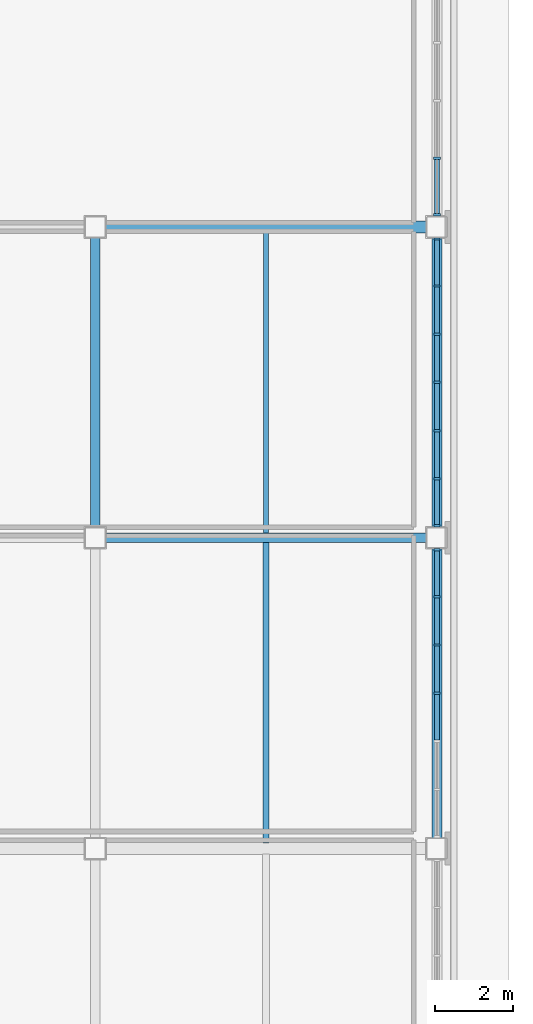
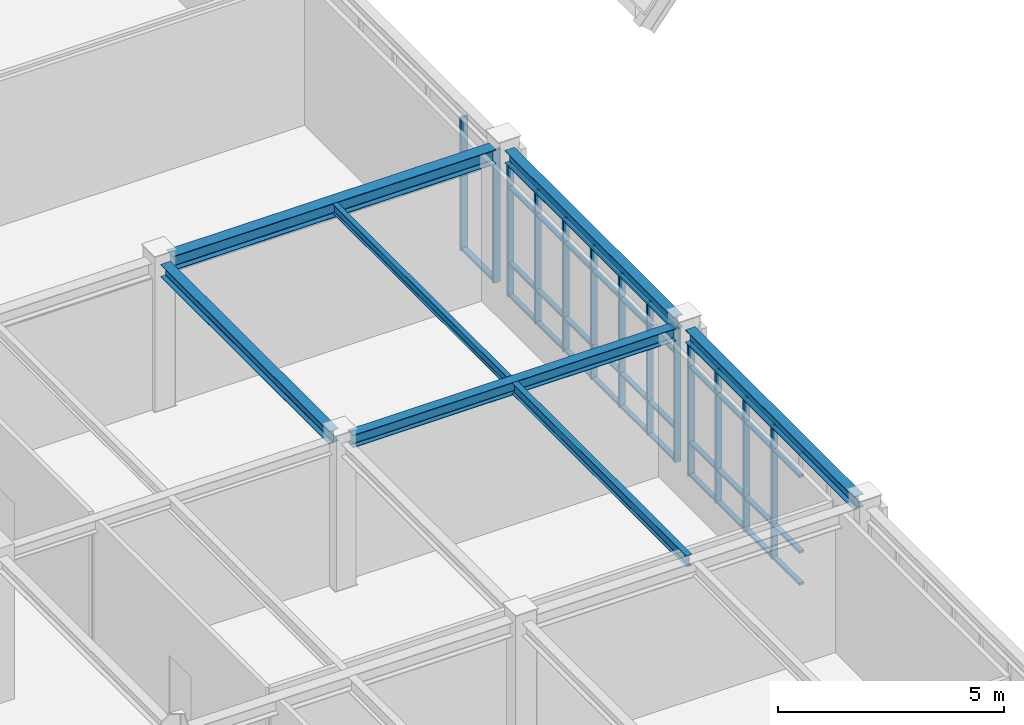
# One storey, part 12 of 64: 54 members, 7 beams, 3 elements without a shape of their own.
"""IFC4 building model written with IfcOpenShell, lengths in metres."""

from ifc_helpers import new_model, si_unit, direction, frame, origin, origin_2d, place, context, subcontext, project, spatial, rectangle, i_section, extrude, material, material_profile, profile_set, type_object, element, aggregate, save


model = new_model("IFC4")

# Units and contexts
model_context = context("Model", 3, precision=1e-05, world=origin(), true_north=direction((0.0, 1.0)))
body_context = subcontext(model_context, "Body", "Model", "MODEL_VIEW")
ifc_project = project(units=[si_unit("LENGTHUNIT", "METRE"), si_unit("AREAUNIT", "SQUARE_METRE"), si_unit("VOLUMEUNIT", "CUBIC_METRE"), si_unit("PLANEANGLEUNIT", "RADIAN"), si_unit("MASSUNIT", "GRAM", prefix="KILO")], contexts=[model_context])

# Site, building, storey
site_placement = place(None, origin())
site = spatial("IfcSite", under=ifc_project, at=site_placement, CompositionType="ELEMENT")
building_placement = place(site_placement, origin())
building = spatial("IfcBuilding", under=site, at=building_placement, Name="Zhaolan Boulevard Law Courts", CompositionType="ELEMENT")
storey_placement = place(building_placement, frame((0.0, 0.0, 20.39990234375)))
storey = spatial("IfcBuildingStorey", under=building, at=storey_placement, Name="L04", CompositionType="ELEMENT", Elevation=20.39990234375)

# Curtain wall, members
ifc_material_1 = material(Name="Thermally broken aluminium and low-E glazing", Category="aluminium")
curtain_wall_type_1 = type_object("IfcCurtainWallType", Name="CURTAIN WALL M5", PredefinedType="USERDEFINED", material=ifc_material_1)
curtain_wall_1_placement = place(storey_placement, origin())
curtain_wall_1 = element("IfcCurtainWall", 1, at=curtain_wall_1_placement, inside=storey, type_object=curtain_wall_type_1, Name="Curtain Wall CW-L04-197", ObjectType="CURTAIN WALL", PredefinedType="USERDEFINED")
ifc_material_2 = material(Name="Fluorocarbon-coated aluminium 6063-T6", Category="aluminium")
ifc_material_profile_1 = material_profile(ifc_material_2, rectangle(XDim=0.159912109375, YDim=0.06005859375, at=origin_2d()), Name="AL60x160")
ifc_profile_set_1 = profile_set([ifc_material_profile_1], Name="Fluorocarbon-coated aluminium 6063-T6")
member_type_1 = type_object("IfcMemberType", Name="CWMULLION 60X160", PredefinedType="MULLION", material=ifc_profile_set_1)
member_1_placement = place(storey_placement, frame((44.0, 42.0, 0.0), z_axis=(0.0, 0.0, 1.0), x_axis=(-1.0, 0.0, 0.0)))
member_1 = element("IfcMember", 2, at=member_1_placement, type_object=member_type_1, Name="CW-L04-197 mullion 4", PredefinedType="MULLION", context=body_context, shape_type="SweptSolid", body=[
    extrude(rectangle(XDim=0.159912109375, YDim=0.06005859375, at=origin_2d()), origin(), (0.0, 0.0, 1.0), 3.593017578125),
])
member_2_placement = place(storey_placement, frame((44.0, 43.240966796875, 0.0), z_axis=(0.0, 0.0, 1.0), x_axis=(-1.0, 0.0, 0.0)))
member_2 = element("IfcMember", 3, at=member_2_placement, type_object=member_type_1, Name="CW-L04-197 mullion 5", PredefinedType="MULLION", context=body_context, shape_type="SweptSolid", body=[
    extrude(rectangle(XDim=0.159912109375, YDim=0.06005859375, at=origin_2d()), origin(), (0.0, 0.0, 1.0), 3.593017578125),
])
member_3_placement = place(storey_placement, frame((44.0, 44.48193359375, 0.0), z_axis=(0.0, 0.0, 1.0), x_axis=(-1.0, 0.0, 0.0)))
member_3 = element("IfcMember", 4, at=member_3_placement, type_object=member_type_1, Name="CW-L04-197 mullion 6", PredefinedType="MULLION", context=body_context, shape_type="SweptSolid", body=[
    extrude(rectangle(XDim=0.159912109375, YDim=0.06005859375, at=origin_2d()), origin(), (0.0, 0.0, 1.0), 3.593017578125),
])
member_4_placement = place(storey_placement, frame((44.0, 45.693115234375, 0.0), z_axis=(0.0, 0.0, 1.0), x_axis=(-1.0, 0.0, 0.0)))
member_4 = element("IfcMember", 5, at=member_4_placement, type_object=member_type_1, Name="CW-L04-197 mullion 7", PredefinedType="MULLION", context=body_context, shape_type="SweptSolid", body=[
    extrude(rectangle(XDim=0.159912109375, YDim=0.06005859375, at=origin_2d()), origin(), (0.0, 0.0, 1.0), 3.593017578125),
])

ifc_material_3 = material(Name="Thermally broken aluminium and low-E glazing", Category="aluminium")
curtain_wall_type_2 = type_object("IfcCurtainWallType", Name="CURTAIN WALL M6", PredefinedType="USERDEFINED", material=ifc_material_3)
curtain_wall_2_placement = place(storey_placement, origin())
curtain_wall_2 = element("IfcCurtainWall", 6, at=curtain_wall_2_placement, inside=storey, type_object=curtain_wall_type_2, Name="Curtain Wall CW-L04-198", ObjectType="CURTAIN WALL", PredefinedType="USERDEFINED")
member_5_placement = place(storey_placement, frame((44.0, 46.306884765625, 0.0), z_axis=(0.0, 0.0, 1.0), x_axis=(-1.0, 0.0, 0.0)))
member_5 = element("IfcMember", 7, at=member_5_placement, type_object=member_type_1, Name="CW-L04-198 mullion 1", PredefinedType="MULLION", context=body_context, shape_type="SweptSolid", body=[
    extrude(rectangle(XDim=0.159912109375, YDim=0.06005859375, at=origin_2d()), origin(), (0.0, 0.0, 1.0), 3.593017578125),
])
member_6_placement = place(storey_placement, frame((44.0, 47.51806640625, 0.0), z_axis=(0.0, 0.0, 1.0), x_axis=(-1.0, 0.0, 0.0)))
member_6 = element("IfcMember", 8, at=member_6_placement, type_object=member_type_1, Name="CW-L04-198 mullion 2", PredefinedType="MULLION", context=body_context, shape_type="SweptSolid", body=[
    extrude(rectangle(XDim=0.159912109375, YDim=0.06005859375, at=origin_2d()), origin(), (0.0, 0.0, 1.0), 3.593017578125),
])
member_7_placement = place(storey_placement, frame((44.0, 48.759033203125, 0.0), z_axis=(0.0, 0.0, 1.0), x_axis=(-1.0, 0.0, 0.0)))
member_7 = element("IfcMember", 9, at=member_7_placement, type_object=member_type_1, Name="CW-L04-198 mullion 3", PredefinedType="MULLION", context=body_context, shape_type="SweptSolid", body=[
    extrude(rectangle(XDim=0.159912109375, YDim=0.06005859375, at=origin_2d()), origin(), (0.0, 0.0, 1.0), 3.593017578125),
])
member_8_placement = place(storey_placement, frame((44.0, 50.0, 0.0), z_axis=(0.0, 0.0, 1.0), x_axis=(-1.0, 0.0, 0.0)))
member_8 = element("IfcMember", 10, at=member_8_placement, type_object=member_type_1, Name="CW-L04-198 mullion 4", PredefinedType="MULLION", context=body_context, shape_type="SweptSolid", body=[
    extrude(rectangle(XDim=0.159912109375, YDim=0.06005859375, at=origin_2d()), origin(), (0.0, 0.0, 1.0), 3.593017578125),
])
member_9_placement = place(storey_placement, frame((44.0, 51.240966796875, 0.0), z_axis=(0.0, 0.0, 1.0), x_axis=(-1.0, 0.0, 0.0)))
member_9 = element("IfcMember", 11, at=member_9_placement, type_object=member_type_1, Name="CW-L04-198 mullion 5", PredefinedType="MULLION", context=body_context, shape_type="SweptSolid", body=[
    extrude(rectangle(XDim=0.159912109375, YDim=0.06005859375, at=origin_2d()), origin(), (0.0, 0.0, 1.0), 3.593017578125),
])
member_10_placement = place(storey_placement, frame((44.0, 52.48193359375, 0.0), z_axis=(0.0, 0.0, 1.0), x_axis=(-1.0, 0.0, 0.0)))
member_10 = element("IfcMember", 12, at=member_10_placement, type_object=member_type_1, Name="CW-L04-198 mullion 6", PredefinedType="MULLION", context=body_context, shape_type="SweptSolid", body=[
    extrude(rectangle(XDim=0.159912109375, YDim=0.06005859375, at=origin_2d()), origin(), (0.0, 0.0, 1.0), 3.593017578125),
])
member_11_placement = place(storey_placement, frame((44.0, 53.693115234375, 0.0), z_axis=(0.0, 0.0, 1.0), x_axis=(-1.0, 0.0, 0.0)))
member_11 = element("IfcMember", 13, at=member_11_placement, type_object=member_type_1, Name="CW-L04-198 mullion 7", PredefinedType="MULLION", context=body_context, shape_type="SweptSolid", body=[
    extrude(rectangle(XDim=0.159912109375, YDim=0.06005859375, at=origin_2d()), origin(), (0.0, 0.0, 1.0), 3.593017578125),
])

ifc_material_4 = material(Name="Thermally broken aluminium and low-E glazing", Category="aluminium")
curtain_wall_type_3 = type_object("IfcCurtainWallType", Name="CURTAIN WALL M7", PredefinedType="USERDEFINED", material=ifc_material_4)
curtain_wall_3_placement = place(storey_placement, origin())
curtain_wall_3 = element("IfcCurtainWall", 14, at=curtain_wall_3_placement, inside=storey, type_object=curtain_wall_type_3, Name="Curtain Wall CW-L04-199", ObjectType="CURTAIN WALL", PredefinedType="USERDEFINED")
ifc_material_5 = material(Name="Fluorocarbon-coated aluminium 6063-T6", Category="aluminium")
ifc_material_profile_2 = material_profile(ifc_material_5, rectangle(XDim=0.179931640625, YDim=0.06494140625, at=origin_2d()), Name="AL65x180")
ifc_profile_set_2 = profile_set([ifc_material_profile_2], Name="Fluorocarbon-coated aluminium 6063-T6")
member_type_2 = type_object("IfcMemberType", Name="CWMULLION 65X180", PredefinedType="MULLION", material=ifc_profile_set_2)
member_12_placement = place(storey_placement, frame((44.0, 54.3095703125, 0.0), z_axis=(0.0, 0.0, 1.0), x_axis=(-1.0, 0.0, 0.0)))
member_12 = element("IfcMember", 15, at=member_12_placement, type_object=member_type_2, Name="CW-L04-199 mullion 1", PredefinedType="MULLION", context=body_context, shape_type="SweptSolid", body=[
    extrude(rectangle(XDim=0.179931640625, YDim=0.06494140625, at=origin_2d()), origin(), (0.0, 0.0, 1.0), 3.593017578125),
])
member_13_placement = place(storey_placement, frame((44.0, 55.76611328125, 0.0), z_axis=(0.0, 0.0, 1.0), x_axis=(-1.0, 0.0, 0.0)))
member_13 = element("IfcMember", 16, at=member_13_placement, type_object=member_type_2, Name="CW-L04-199 mullion 2", PredefinedType="MULLION", context=body_context, shape_type="SweptSolid", body=[
    extrude(rectangle(XDim=0.179931640625, YDim=0.06494140625, at=origin_2d()), origin(), (0.0, 0.0, 1.0), 3.593017578125),
])

# Member
ifc_material_6 = material(Name="Fluorocarbon-coated aluminium 6063-T6", Category="aluminium")
ifc_material_profile_3 = material_profile(ifc_material_6, rectangle(XDim=0.1201171875, YDim=0.06005859375, at=origin_2d()), Name="AL60x120")
ifc_profile_set_3 = profile_set([ifc_material_profile_3], Name="Fluorocarbon-coated aluminium 6063-T6")
member_type_3 = type_object("IfcMemberType", Name="CWTRANSOM 60X120", PredefinedType="USERDEFINED", material=ifc_profile_set_3)
member_14_placement = place(storey_placement, frame((44.0, 40.7890625, 0.030029296875), z_axis=(0.0, 1.0, 0.0), x_axis=(-1.0, 0.0, 0.0)))
member_14 = element("IfcMember", 17, at=member_14_placement, type_object=member_type_3, Name="CW-L04-197 transom 3.1", ObjectType="TRANSOM", PredefinedType="USERDEFINED", context=body_context, shape_type="SweptSolid", body=[
    extrude(rectangle(XDim=0.1201171875, YDim=0.06005859375, at=origin_2d()), origin(), (0.0, 0.0, 1.0), 1.180908203125),
])

member_15_placement = place(storey_placement, frame((44.0, 40.7890625, 0.900146484375), z_axis=(0.0, 1.0, 0.0), x_axis=(-1.0, 0.0, 0.0)))
member_15 = element("IfcMember", 18, at=member_15_placement, type_object=member_type_3, Name="CW-L04-197 transom 3.2", ObjectType="TRANSOM", PredefinedType="USERDEFINED", context=body_context, shape_type="SweptSolid", body=[
    extrude(rectangle(XDim=0.1201171875, YDim=0.06005859375, at=origin_2d()), origin(), (0.0, 0.0, 1.0), 1.180908203125),
])

member_16_placement = place(storey_placement, frame((44.0, 40.7890625, 2.943115234375), z_axis=(0.0, 1.0, 0.0), x_axis=(-1.0, 0.0, 0.0)))
member_16 = element("IfcMember", 19, at=member_16_placement, type_object=member_type_3, Name="CW-L04-197 transom 3.3", ObjectType="TRANSOM", PredefinedType="USERDEFINED", context=body_context, shape_type="SweptSolid", body=[
    extrude(rectangle(XDim=0.1201171875, YDim=0.06005859375, at=origin_2d()), origin(), (0.0, 0.0, 1.0), 1.180908203125),
])

member_17_placement = place(storey_placement, frame((44.0, 40.7890625, 3.56298828125), z_axis=(0.0, 1.0, 0.0), x_axis=(-1.0, 0.0, 0.0)))
member_17 = element("IfcMember", 20, at=member_17_placement, type_object=member_type_3, Name="CW-L04-197 transom 3.4", ObjectType="TRANSOM", PredefinedType="USERDEFINED", context=body_context, shape_type="SweptSolid", body=[
    extrude(rectangle(XDim=0.1201171875, YDim=0.06005859375, at=origin_2d()), origin(), (0.0, 0.0, 1.0), 1.180908203125),
])

member_18_placement = place(storey_placement, frame((44.0, 42.030029296875, 0.030029296875), z_axis=(0.0, 1.0, 0.0), x_axis=(-1.0, 0.0, 0.0)))
member_18 = element("IfcMember", 21, at=member_18_placement, type_object=member_type_3, Name="CW-L04-197 transom 4.1", ObjectType="TRANSOM", PredefinedType="USERDEFINED", context=body_context, shape_type="SweptSolid", body=[
    extrude(rectangle(XDim=0.1201171875, YDim=0.06005859375, at=origin_2d()), origin(), (0.0, 0.0, 1.0), 1.180908203125),
])

member_19_placement = place(storey_placement, frame((44.0, 42.030029296875, 0.900146484375), z_axis=(0.0, 1.0, 0.0), x_axis=(-1.0, 0.0, 0.0)))
member_19 = element("IfcMember", 22, at=member_19_placement, type_object=member_type_3, Name="CW-L04-197 transom 4.2", ObjectType="TRANSOM", PredefinedType="USERDEFINED", context=body_context, shape_type="SweptSolid", body=[
    extrude(rectangle(XDim=0.1201171875, YDim=0.06005859375, at=origin_2d()), origin(), (0.0, 0.0, 1.0), 1.180908203125),
])

member_20_placement = place(storey_placement, frame((44.0, 42.030029296875, 2.943115234375), z_axis=(0.0, 1.0, 0.0), x_axis=(-1.0, 0.0, 0.0)))
member_20 = element("IfcMember", 23, at=member_20_placement, type_object=member_type_3, Name="CW-L04-197 transom 4.3", ObjectType="TRANSOM", PredefinedType="USERDEFINED", context=body_context, shape_type="SweptSolid", body=[
    extrude(rectangle(XDim=0.1201171875, YDim=0.06005859375, at=origin_2d()), origin(), (0.0, 0.0, 1.0), 1.180908203125),
])

member_21_placement = place(storey_placement, frame((44.0, 42.030029296875, 3.56298828125), z_axis=(0.0, 1.0, 0.0), x_axis=(-1.0, 0.0, 0.0)))
member_21 = element("IfcMember", 24, at=member_21_placement, type_object=member_type_3, Name="CW-L04-197 transom 4.4", ObjectType="TRANSOM", PredefinedType="USERDEFINED", context=body_context, shape_type="SweptSolid", body=[
    extrude(rectangle(XDim=0.1201171875, YDim=0.06005859375, at=origin_2d()), origin(), (0.0, 0.0, 1.0), 1.180908203125),
])

member_22_placement = place(storey_placement, frame((44.0, 43.27099609375, 0.030029296875), z_axis=(0.0, 1.0, 0.0), x_axis=(-1.0, 0.0, 0.0)))
member_22 = element("IfcMember", 25, at=member_22_placement, type_object=member_type_3, Name="CW-L04-197 transom 5.1", ObjectType="TRANSOM", PredefinedType="USERDEFINED", context=body_context, shape_type="SweptSolid", body=[
    extrude(rectangle(XDim=0.1201171875, YDim=0.06005859375, at=origin_2d()), origin(), (0.0, 0.0, 1.0), 1.180908203125),
])

member_23_placement = place(storey_placement, frame((44.0, 43.27099609375, 0.900146484375), z_axis=(0.0, 1.0, 0.0), x_axis=(-1.0, 0.0, 0.0)))
member_23 = element("IfcMember", 26, at=member_23_placement, type_object=member_type_3, Name="CW-L04-197 transom 5.2", ObjectType="TRANSOM", PredefinedType="USERDEFINED", context=body_context, shape_type="SweptSolid", body=[
    extrude(rectangle(XDim=0.1201171875, YDim=0.06005859375, at=origin_2d()), origin(), (0.0, 0.0, 1.0), 1.180908203125),
])

member_24_placement = place(storey_placement, frame((44.0, 43.27099609375, 2.943115234375), z_axis=(0.0, 1.0, 0.0), x_axis=(-1.0, 0.0, 0.0)))
member_24 = element("IfcMember", 27, at=member_24_placement, type_object=member_type_3, Name="CW-L04-197 transom 5.3", ObjectType="TRANSOM", PredefinedType="USERDEFINED", context=body_context, shape_type="SweptSolid", body=[
    extrude(rectangle(XDim=0.1201171875, YDim=0.06005859375, at=origin_2d()), origin(), (0.0, 0.0, 1.0), 1.180908203125),
])

member_25_placement = place(storey_placement, frame((44.0, 43.27099609375, 3.56298828125), z_axis=(0.0, 1.0, 0.0), x_axis=(-1.0, 0.0, 0.0)))
member_25 = element("IfcMember", 28, at=member_25_placement, type_object=member_type_3, Name="CW-L04-197 transom 5.4", ObjectType="TRANSOM", PredefinedType="USERDEFINED", context=body_context, shape_type="SweptSolid", body=[
    extrude(rectangle(XDim=0.1201171875, YDim=0.06005859375, at=origin_2d()), origin(), (0.0, 0.0, 1.0), 1.180908203125),
])

member_26_placement = place(storey_placement, frame((44.0, 44.511962890625, 0.030029296875), z_axis=(0.0, 1.0, 0.0), x_axis=(-1.0, 0.0, 0.0)))
member_26 = element("IfcMember", 29, at=member_26_placement, type_object=member_type_3, Name="CW-L04-197 transom 6.1", ObjectType="TRANSOM", PredefinedType="USERDEFINED", context=body_context, shape_type="SweptSolid", body=[
    extrude(rectangle(XDim=0.1201171875, YDim=0.06005859375, at=origin_2d()), origin(), (0.0, 0.0, 1.0), 1.151123046875),
])

member_27_placement = place(storey_placement, frame((44.0, 44.511962890625, 0.900146484375), z_axis=(0.0, 1.0, 0.0), x_axis=(-1.0, 0.0, 0.0)))
member_27 = element("IfcMember", 30, at=member_27_placement, type_object=member_type_3, Name="CW-L04-197 transom 6.2", ObjectType="TRANSOM", PredefinedType="USERDEFINED", context=body_context, shape_type="SweptSolid", body=[
    extrude(rectangle(XDim=0.1201171875, YDim=0.06005859375, at=origin_2d()), origin(), (0.0, 0.0, 1.0), 1.151123046875),
])

member_28_placement = place(storey_placement, frame((44.0, 44.511962890625, 2.943115234375), z_axis=(0.0, 1.0, 0.0), x_axis=(-1.0, 0.0, 0.0)))
member_28 = element("IfcMember", 31, at=member_28_placement, type_object=member_type_3, Name="CW-L04-197 transom 6.3", ObjectType="TRANSOM", PredefinedType="USERDEFINED", context=body_context, shape_type="SweptSolid", body=[
    extrude(rectangle(XDim=0.1201171875, YDim=0.06005859375, at=origin_2d()), origin(), (0.0, 0.0, 1.0), 1.151123046875),
])

member_29_placement = place(storey_placement, frame((44.0, 44.511962890625, 3.56298828125), z_axis=(0.0, 1.0, 0.0), x_axis=(-1.0, 0.0, 0.0)))
member_29 = element("IfcMember", 32, at=member_29_placement, type_object=member_type_3, Name="CW-L04-197 transom 6.4", ObjectType="TRANSOM", PredefinedType="USERDEFINED", context=body_context, shape_type="SweptSolid", body=[
    extrude(rectangle(XDim=0.1201171875, YDim=0.06005859375, at=origin_2d()), origin(), (0.0, 0.0, 1.0), 1.151123046875),
])

aggregate(curtain_wall_1, [member_1, member_2, member_3, member_4, member_14, member_15, member_16, member_17, member_18, member_19, member_20, member_21, member_22, member_23, member_24, member_25, member_26, member_27, member_28, member_29])

member_30_placement = place(storey_placement, frame((44.0, 46.3369140625, 0.030029296875), z_axis=(0.0, 1.0, 0.0), x_axis=(-1.0, 0.0, 0.0)))
member_30 = element("IfcMember", 33, at=member_30_placement, type_object=member_type_3, Name="CW-L04-198 transom 1.1", ObjectType="TRANSOM", PredefinedType="USERDEFINED", context=body_context, shape_type="SweptSolid", body=[
    extrude(rectangle(XDim=0.1201171875, YDim=0.06005859375, at=origin_2d()), origin(), (0.0, 0.0, 1.0), 1.151123046875),
])

member_31_placement = place(storey_placement, frame((44.0, 46.3369140625, 0.900146484375), z_axis=(0.0, 1.0, 0.0), x_axis=(-1.0, 0.0, 0.0)))
member_31 = element("IfcMember", 34, at=member_31_placement, type_object=member_type_3, Name="CW-L04-198 transom 1.2", ObjectType="TRANSOM", PredefinedType="USERDEFINED", context=body_context, shape_type="SweptSolid", body=[
    extrude(rectangle(XDim=0.1201171875, YDim=0.06005859375, at=origin_2d()), origin(), (0.0, 0.0, 1.0), 1.151123046875),
])

member_32_placement = place(storey_placement, frame((44.0, 46.3369140625, 2.943115234375), z_axis=(0.0, 1.0, 0.0), x_axis=(-1.0, 0.0, 0.0)))
member_32 = element("IfcMember", 35, at=member_32_placement, type_object=member_type_3, Name="CW-L04-198 transom 1.3", ObjectType="TRANSOM", PredefinedType="USERDEFINED", context=body_context, shape_type="SweptSolid", body=[
    extrude(rectangle(XDim=0.1201171875, YDim=0.06005859375, at=origin_2d()), origin(), (0.0, 0.0, 1.0), 1.151123046875),
])

member_33_placement = place(storey_placement, frame((44.0, 46.3369140625, 3.56298828125), z_axis=(0.0, 1.0, 0.0), x_axis=(-1.0, 0.0, 0.0)))
member_33 = element("IfcMember", 36, at=member_33_placement, type_object=member_type_3, Name="CW-L04-198 transom 1.4", ObjectType="TRANSOM", PredefinedType="USERDEFINED", context=body_context, shape_type="SweptSolid", body=[
    extrude(rectangle(XDim=0.1201171875, YDim=0.06005859375, at=origin_2d()), origin(), (0.0, 0.0, 1.0), 1.151123046875),
])

member_34_placement = place(storey_placement, frame((44.0, 47.548095703125, 0.030029296875), z_axis=(0.0, 1.0, 0.0), x_axis=(-1.0, 0.0, 0.0)))
member_34 = element("IfcMember", 37, at=member_34_placement, type_object=member_type_3, Name="CW-L04-198 transom 2.1", ObjectType="TRANSOM", PredefinedType="USERDEFINED", context=body_context, shape_type="SweptSolid", body=[
    extrude(rectangle(XDim=0.1201171875, YDim=0.06005859375, at=origin_2d()), origin(), (0.0, 0.0, 1.0), 1.180908203125),
])

member_35_placement = place(storey_placement, frame((44.0, 47.548095703125, 0.900146484375), z_axis=(0.0, 1.0, 0.0), x_axis=(-1.0, 0.0, 0.0)))
member_35 = element("IfcMember", 38, at=member_35_placement, type_object=member_type_3, Name="CW-L04-198 transom 2.2", ObjectType="TRANSOM", PredefinedType="USERDEFINED", context=body_context, shape_type="SweptSolid", body=[
    extrude(rectangle(XDim=0.1201171875, YDim=0.06005859375, at=origin_2d()), origin(), (0.0, 0.0, 1.0), 1.180908203125),
])

member_36_placement = place(storey_placement, frame((44.0, 47.548095703125, 2.943115234375), z_axis=(0.0, 1.0, 0.0), x_axis=(-1.0, 0.0, 0.0)))
member_36 = element("IfcMember", 39, at=member_36_placement, type_object=member_type_3, Name="CW-L04-198 transom 2.3", ObjectType="TRANSOM", PredefinedType="USERDEFINED", context=body_context, shape_type="SweptSolid", body=[
    extrude(rectangle(XDim=0.1201171875, YDim=0.06005859375, at=origin_2d()), origin(), (0.0, 0.0, 1.0), 1.180908203125),
])

member_37_placement = place(storey_placement, frame((44.0, 47.548095703125, 3.56298828125), z_axis=(0.0, 1.0, 0.0), x_axis=(-1.0, 0.0, 0.0)))
member_37 = element("IfcMember", 40, at=member_37_placement, type_object=member_type_3, Name="CW-L04-198 transom 2.4", ObjectType="TRANSOM", PredefinedType="USERDEFINED", context=body_context, shape_type="SweptSolid", body=[
    extrude(rectangle(XDim=0.1201171875, YDim=0.06005859375, at=origin_2d()), origin(), (0.0, 0.0, 1.0), 1.180908203125),
])

member_38_placement = place(storey_placement, frame((44.0, 48.7890625, 0.030029296875), z_axis=(0.0, 1.0, 0.0), x_axis=(-1.0, 0.0, 0.0)))
member_38 = element("IfcMember", 41, at=member_38_placement, type_object=member_type_3, Name="CW-L04-198 transom 3.1", ObjectType="TRANSOM", PredefinedType="USERDEFINED", context=body_context, shape_type="SweptSolid", body=[
    extrude(rectangle(XDim=0.1201171875, YDim=0.06005859375, at=origin_2d()), origin(), (0.0, 0.0, 1.0), 1.180908203125),
])

member_39_placement = place(storey_placement, frame((44.0, 48.7890625, 0.900146484375), z_axis=(0.0, 1.0, 0.0), x_axis=(-1.0, 0.0, 0.0)))
member_39 = element("IfcMember", 42, at=member_39_placement, type_object=member_type_3, Name="CW-L04-198 transom 3.2", ObjectType="TRANSOM", PredefinedType="USERDEFINED", context=body_context, shape_type="SweptSolid", body=[
    extrude(rectangle(XDim=0.1201171875, YDim=0.06005859375, at=origin_2d()), origin(), (0.0, 0.0, 1.0), 1.180908203125),
])

member_40_placement = place(storey_placement, frame((44.0, 48.7890625, 2.943115234375), z_axis=(0.0, 1.0, 0.0), x_axis=(-1.0, 0.0, 0.0)))
member_40 = element("IfcMember", 43, at=member_40_placement, type_object=member_type_3, Name="CW-L04-198 transom 3.3", ObjectType="TRANSOM", PredefinedType="USERDEFINED", context=body_context, shape_type="SweptSolid", body=[
    extrude(rectangle(XDim=0.1201171875, YDim=0.06005859375, at=origin_2d()), origin(), (0.0, 0.0, 1.0), 1.180908203125),
])

member_41_placement = place(storey_placement, frame((44.0, 48.7890625, 3.56298828125), z_axis=(0.0, 1.0, 0.0), x_axis=(-1.0, 0.0, 0.0)))
member_41 = element("IfcMember", 44, at=member_41_placement, type_object=member_type_3, Name="CW-L04-198 transom 3.4", ObjectType="TRANSOM", PredefinedType="USERDEFINED", context=body_context, shape_type="SweptSolid", body=[
    extrude(rectangle(XDim=0.1201171875, YDim=0.06005859375, at=origin_2d()), origin(), (0.0, 0.0, 1.0), 1.180908203125),
])

member_42_placement = place(storey_placement, frame((44.0, 50.030029296875, 0.030029296875), z_axis=(0.0, 1.0, 0.0), x_axis=(-1.0, 0.0, 0.0)))
member_42 = element("IfcMember", 45, at=member_42_placement, type_object=member_type_3, Name="CW-L04-198 transom 4.1", ObjectType="TRANSOM", PredefinedType="USERDEFINED", context=body_context, shape_type="SweptSolid", body=[
    extrude(rectangle(XDim=0.1201171875, YDim=0.06005859375, at=origin_2d()), origin(), (0.0, 0.0, 1.0), 1.180908203125),
])

member_43_placement = place(storey_placement, frame((44.0, 50.030029296875, 0.900146484375), z_axis=(0.0, 1.0, 0.0), x_axis=(-1.0, 0.0, 0.0)))
member_43 = element("IfcMember", 46, at=member_43_placement, type_object=member_type_3, Name="CW-L04-198 transom 4.2", ObjectType="TRANSOM", PredefinedType="USERDEFINED", context=body_context, shape_type="SweptSolid", body=[
    extrude(rectangle(XDim=0.1201171875, YDim=0.06005859375, at=origin_2d()), origin(), (0.0, 0.0, 1.0), 1.180908203125),
])

member_44_placement = place(storey_placement, frame((44.0, 50.030029296875, 2.943115234375), z_axis=(0.0, 1.0, 0.0), x_axis=(-1.0, 0.0, 0.0)))
member_44 = element("IfcMember", 47, at=member_44_placement, type_object=member_type_3, Name="CW-L04-198 transom 4.3", ObjectType="TRANSOM", PredefinedType="USERDEFINED", context=body_context, shape_type="SweptSolid", body=[
    extrude(rectangle(XDim=0.1201171875, YDim=0.06005859375, at=origin_2d()), origin(), (0.0, 0.0, 1.0), 1.180908203125),
])

member_45_placement = place(storey_placement, frame((44.0, 50.030029296875, 3.56298828125), z_axis=(0.0, 1.0, 0.0), x_axis=(-1.0, 0.0, 0.0)))
member_45 = element("IfcMember", 48, at=member_45_placement, type_object=member_type_3, Name="CW-L04-198 transom 4.4", ObjectType="TRANSOM", PredefinedType="USERDEFINED", context=body_context, shape_type="SweptSolid", body=[
    extrude(rectangle(XDim=0.1201171875, YDim=0.06005859375, at=origin_2d()), origin(), (0.0, 0.0, 1.0), 1.180908203125),
])

member_46_placement = place(storey_placement, frame((44.0, 51.27099609375, 0.030029296875), z_axis=(0.0, 1.0, 0.0), x_axis=(-1.0, 0.0, 0.0)))
member_46 = element("IfcMember", 49, at=member_46_placement, type_object=member_type_3, Name="CW-L04-198 transom 5.1", ObjectType="TRANSOM", PredefinedType="USERDEFINED", context=body_context, shape_type="SweptSolid", body=[
    extrude(rectangle(XDim=0.1201171875, YDim=0.06005859375, at=origin_2d()), origin(), (0.0, 0.0, 1.0), 1.180908203125),
])

member_47_placement = place(storey_placement, frame((44.0, 51.27099609375, 0.900146484375), z_axis=(0.0, 1.0, 0.0), x_axis=(-1.0, 0.0, 0.0)))
member_47 = element("IfcMember", 50, at=member_47_placement, type_object=member_type_3, Name="CW-L04-198 transom 5.2", ObjectType="TRANSOM", PredefinedType="USERDEFINED", context=body_context, shape_type="SweptSolid", body=[
    extrude(rectangle(XDim=0.1201171875, YDim=0.06005859375, at=origin_2d()), origin(), (0.0, 0.0, 1.0), 1.180908203125),
])

member_48_placement = place(storey_placement, frame((44.0, 51.27099609375, 2.943115234375), z_axis=(0.0, 1.0, 0.0), x_axis=(-1.0, 0.0, 0.0)))
member_48 = element("IfcMember", 51, at=member_48_placement, type_object=member_type_3, Name="CW-L04-198 transom 5.3", ObjectType="TRANSOM", PredefinedType="USERDEFINED", context=body_context, shape_type="SweptSolid", body=[
    extrude(rectangle(XDim=0.1201171875, YDim=0.06005859375, at=origin_2d()), origin(), (0.0, 0.0, 1.0), 1.180908203125),
])

member_49_placement = place(storey_placement, frame((44.0, 51.27099609375, 3.56298828125), z_axis=(0.0, 1.0, 0.0), x_axis=(-1.0, 0.0, 0.0)))
member_49 = element("IfcMember", 52, at=member_49_placement, type_object=member_type_3, Name="CW-L04-198 transom 5.4", ObjectType="TRANSOM", PredefinedType="USERDEFINED", context=body_context, shape_type="SweptSolid", body=[
    extrude(rectangle(XDim=0.1201171875, YDim=0.06005859375, at=origin_2d()), origin(), (0.0, 0.0, 1.0), 1.180908203125),
])

member_50_placement = place(storey_placement, frame((44.0, 52.511962890625, 0.030029296875), z_axis=(0.0, 1.0, 0.0), x_axis=(-1.0, 0.0, 0.0)))
member_50 = element("IfcMember", 53, at=member_50_placement, type_object=member_type_3, Name="CW-L04-198 transom 6.1", ObjectType="TRANSOM", PredefinedType="USERDEFINED", context=body_context, shape_type="SweptSolid", body=[
    extrude(rectangle(XDim=0.1201171875, YDim=0.06005859375, at=origin_2d()), origin(), (0.0, 0.0, 1.0), 1.151123046875),
])

member_51_placement = place(storey_placement, frame((44.0, 52.511962890625, 0.900146484375), z_axis=(0.0, 1.0, 0.0), x_axis=(-1.0, 0.0, 0.0)))
member_51 = element("IfcMember", 54, at=member_51_placement, type_object=member_type_3, Name="CW-L04-198 transom 6.2", ObjectType="TRANSOM", PredefinedType="USERDEFINED", context=body_context, shape_type="SweptSolid", body=[
    extrude(rectangle(XDim=0.1201171875, YDim=0.06005859375, at=origin_2d()), origin(), (0.0, 0.0, 1.0), 1.151123046875),
])

member_52_placement = place(storey_placement, frame((44.0, 52.511962890625, 2.943115234375), z_axis=(0.0, 1.0, 0.0), x_axis=(-1.0, 0.0, 0.0)))
member_52 = element("IfcMember", 55, at=member_52_placement, type_object=member_type_3, Name="CW-L04-198 transom 6.3", ObjectType="TRANSOM", PredefinedType="USERDEFINED", context=body_context, shape_type="SweptSolid", body=[
    extrude(rectangle(XDim=0.1201171875, YDim=0.06005859375, at=origin_2d()), origin(), (0.0, 0.0, 1.0), 1.151123046875),
])

member_53_placement = place(storey_placement, frame((44.0, 52.511962890625, 3.56298828125), z_axis=(0.0, 1.0, 0.0), x_axis=(-1.0, 0.0, 0.0)))
member_53 = element("IfcMember", 56, at=member_53_placement, type_object=member_type_3, Name="CW-L04-198 transom 6.4", ObjectType="TRANSOM", PredefinedType="USERDEFINED", context=body_context, shape_type="SweptSolid", body=[
    extrude(rectangle(XDim=0.1201171875, YDim=0.06005859375, at=origin_2d()), origin(), (0.0, 0.0, 1.0), 1.151123046875),
])

aggregate(curtain_wall_2, [member_5, member_6, member_7, member_8, member_9, member_10, member_11, member_30, member_31, member_32, member_33, member_34, member_35, member_36, member_37, member_38, member_39, member_40, member_41, member_42, member_43, member_44, member_45, member_46, member_47, member_48, member_49, member_50, member_51, member_52, member_53])

ifc_material_7 = material(Name="Fluorocarbon-coated aluminium 6063-T6", Category="aluminium")
ifc_material_profile_4 = material_profile(ifc_material_7, rectangle(XDim=0.139892578125, YDim=0.06494140625, at=origin_2d()), Name="AL65x140")
ifc_profile_set_4 = profile_set([ifc_material_profile_4], Name="Fluorocarbon-coated aluminium 6063-T6")
member_type_4 = type_object("IfcMemberType", Name="CWTRANSOM 65X140", PredefinedType="USERDEFINED", material=ifc_profile_set_4)
member_54_placement = place(storey_placement, frame((44.0, 54.342041015625, 0.03271484375), z_axis=(0.0, 1.0, 0.0), x_axis=(-1.0, 0.0, 0.0)))
member_54 = element("IfcMember", 57, at=member_54_placement, type_object=member_type_4, Name="CW-L04-199 transom 1.1", ObjectType="TRANSOM", PredefinedType="USERDEFINED", context=body_context, shape_type="SweptSolid", body=[
    extrude(rectangle(XDim=0.139892578125, YDim=0.06494140625, at=origin_2d()), origin(), (0.0, 0.0, 1.0), 1.3916015625),
])

aggregate(curtain_wall_3, [member_12, member_13, member_54])

# Beams
ifc_material_8 = material(Name="Structural steel Q355B", Category="steel")
ifc_material_profile_5 = material_profile(ifc_material_8, i_section(OverallWidth=0.25, OverallDepth=0.340087890625, WebThickness=0.009033203125, FlangeThickness=0.013916015625, FilletRadius=0.01611328125, at=origin_2d()), Name="HM340x250")
ifc_profile_set_5 = profile_set([ifc_material_profile_5], Name="Structural steel Q355B")
beam_type_1 = type_object("IfcBeamType", Name="GIRDER HM340", PredefinedType="BEAM", material=ifc_profile_set_5)
for number, where, z_axis, x_axis, name in (
    (58, (35.199951171875, 46.27099609375, 3.778076171875), (0.0, 1.0, 0.0), (-1.0, 0.0, 0.0), "Beam BY-L05-5-G-H"),
    (59, (44.0, 38.27099609375, 3.778076171875), (0.0, 1.0, 0.0), (-1.0, 0.0, 0.0), "Beam BY-L05-6-F-G"),
    (60, (44.0, 46.27099609375, 3.778076171875), (0.0, 1.0, 0.0), (-1.0, 0.0, 0.0), "Beam BY-L05-6-G-H"),
):
    element("IfcBeam", number, at=place(storey_placement, frame(where, z_axis=z_axis, x_axis=x_axis)), inside=storey, type_object=beam_type_1, Name=name, PredefinedType="BEAM", context=body_context, shape_type="SweptSolid", body=[
        extrude(i_section(OverallWidth=0.25, OverallDepth=0.340087890625, WebThickness=0.009033203125, FlangeThickness=0.013916015625, FilletRadius=0.01611328125, at=origin_2d()), origin(), (0.0, 0.0, 1.0), 7.4580078125),
    ])
ifc_material_9 = material(Name="Structural steel Q355B", Category="steel")
ifc_material_profile_6 = material_profile(ifc_material_9, i_section(OverallWidth=0.300048828125, OverallDepth=0.389892578125, WebThickness=0.010009765625, FlangeThickness=0.01611328125, FilletRadius=0.01806640625, at=origin_2d()), Name="HM390x300")
ifc_profile_set_6 = profile_set([ifc_material_profile_6], Name="Structural steel Q355B")
beam_type_2 = type_object("IfcBeamType", Name="GIRDER HM390", PredefinedType="BEAM", material=ifc_profile_set_6)
beam_1_placement = place(storey_placement, frame((35.470947265625, 54.0, 3.753173828125), z_axis=(1.0, 0.0, 0.0), x_axis=(0.0, 1.0, 0.0)))
element("IfcBeam", 61, at=beam_1_placement, inside=storey, type_object=beam_type_2, Name="Beam BX-L05-5-6-H", PredefinedType="BEAM", context=body_context, shape_type="SweptSolid", body=[
    extrude(i_section(OverallWidth=0.300048828125, OverallDepth=0.389892578125, WebThickness=0.010009765625, FlangeThickness=0.01611328125, FilletRadius=0.01806640625, at=origin_2d()), origin(), (0.0, 0.0, 1.0), 8.258056640625),
])
ifc_material_10 = material(Name="Structural steel Q355B", Category="steel")
ifc_material_profile_7 = material_profile(ifc_material_10, i_section(OverallWidth=0.125, OverallDepth=0.25, WebThickness=0.006103515625, FlangeThickness=0.009033203125, FilletRadius=0.010009765625, at=origin_2d()), Name="HN250x125")
ifc_profile_set_7 = profile_set([ifc_material_profile_7], Name="Structural steel Q355B")
beam_type_3 = type_object("IfcBeamType", Name="JOIST HN250", PredefinedType="JOIST", material=ifc_profile_set_7)
beam_2_placement = place(storey_placement, frame((39.60009765625, 46.12109375, 3.822998046875), z_axis=(0.0, 1.0, 0.0), x_axis=(-1.0, 0.0, 0.0)))
element("IfcBeam", 62, at=beam_2_placement, inside=storey, type_object=beam_type_3, Name="Composite Joist J-L05-5G", PredefinedType="JOIST", context=body_context, shape_type="SweptSolid", body=[
    extrude(i_section(OverallWidth=0.125, OverallDepth=0.25, WebThickness=0.006103515625, FlangeThickness=0.009033203125, FilletRadius=0.010009765625, at=origin_2d()), origin(), (0.0, 0.0, 1.0), 7.73291015625),
])
ifc_material_11 = material(Name="Structural steel Q355B", Category="steel")
ifc_material_profile_8 = material_profile(ifc_material_11, i_section(OverallWidth=0.14990234375, OverallDepth=0.300048828125, WebThickness=0.006591796875, FlangeThickness=0.009033203125, FilletRadius=0.010986328125, at=origin_2d()), Name="HN300x150")
ifc_profile_set_8 = profile_set([ifc_material_profile_8], Name="Structural steel Q355B")
beam_type_4 = type_object("IfcBeamType", Name="JOIST HN300", PredefinedType="JOIST", material=ifc_profile_set_8)
beam_3_placement = place(storey_placement, frame((39.60009765625, 38.14599609375, 3.798095703125), z_axis=(0.0, 1.0, 0.0), x_axis=(-1.0, 0.0, 0.0)))
element("IfcBeam", 63, at=beam_3_placement, inside=storey, type_object=beam_type_4, Name="Composite Joist J-L05-5F", PredefinedType="JOIST", context=body_context, shape_type="SweptSolid", body=[
    extrude(i_section(OverallWidth=0.14990234375, OverallDepth=0.300048828125, WebThickness=0.006591796875, FlangeThickness=0.009033203125, FilletRadius=0.010986328125, at=origin_2d()), origin(), (0.0, 0.0, 1.0), 7.73291015625),
])
ifc_material_12 = material(Name="Structural steel Q355B", Category="steel")
ifc_material_profile_9 = material_profile(ifc_material_12, i_section(OverallWidth=0.25, OverallDepth=0.340087890625, WebThickness=0.009033203125, FlangeThickness=0.013916015625, FilletRadius=0.01611328125, at=origin_2d()), Name="HM340x250")
ifc_profile_set_9 = profile_set([ifc_material_profile_9], Name="Structural steel Q355B")
beam_type_5 = type_object("IfcBeamType", Name="SPANDREL HM340", PredefinedType="SPANDREL", material=ifc_profile_set_9)
beam_4_placement = place(storey_placement, frame((35.470947265625, 46.0, 3.778076171875), z_axis=(1.0, 0.0, 0.0), x_axis=(0.0, 1.0, 0.0)))
element("IfcBeam", 64, at=beam_4_placement, inside=storey, type_object=beam_type_5, Name="Beam BX-L05-5-6-G", PredefinedType="SPANDREL", context=body_context, shape_type="SweptSolid", body=[
    extrude(i_section(OverallWidth=0.25, OverallDepth=0.340087890625, WebThickness=0.009033203125, FlangeThickness=0.013916015625, FilletRadius=0.01611328125, at=origin_2d()), origin(), (0.0, 0.0, 1.0), 8.258056640625),
])

save(model, "model.ifc")
